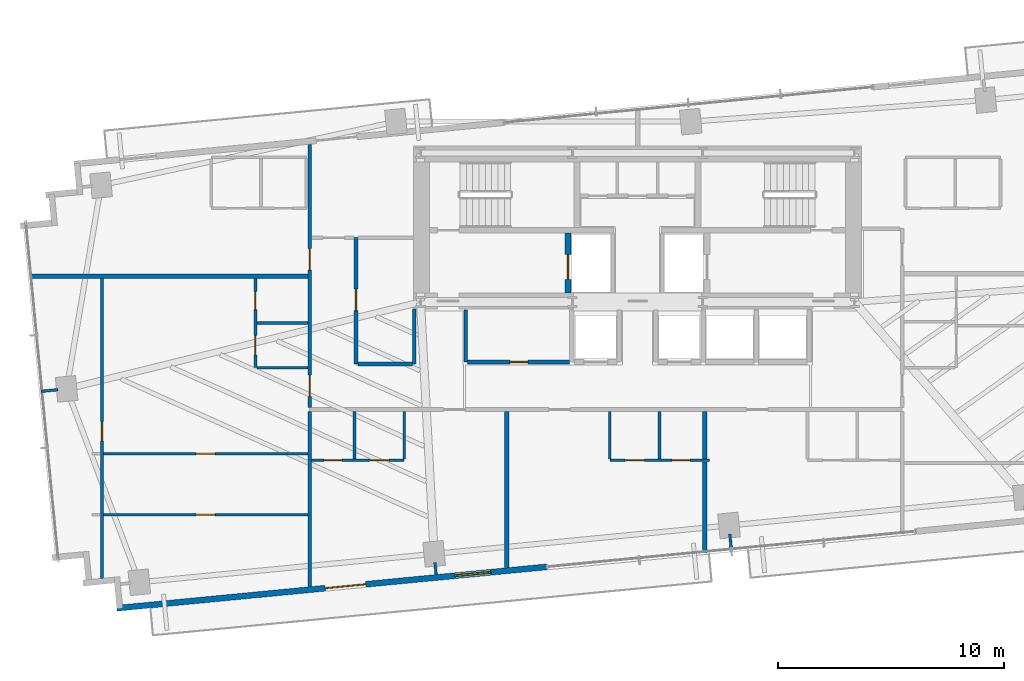
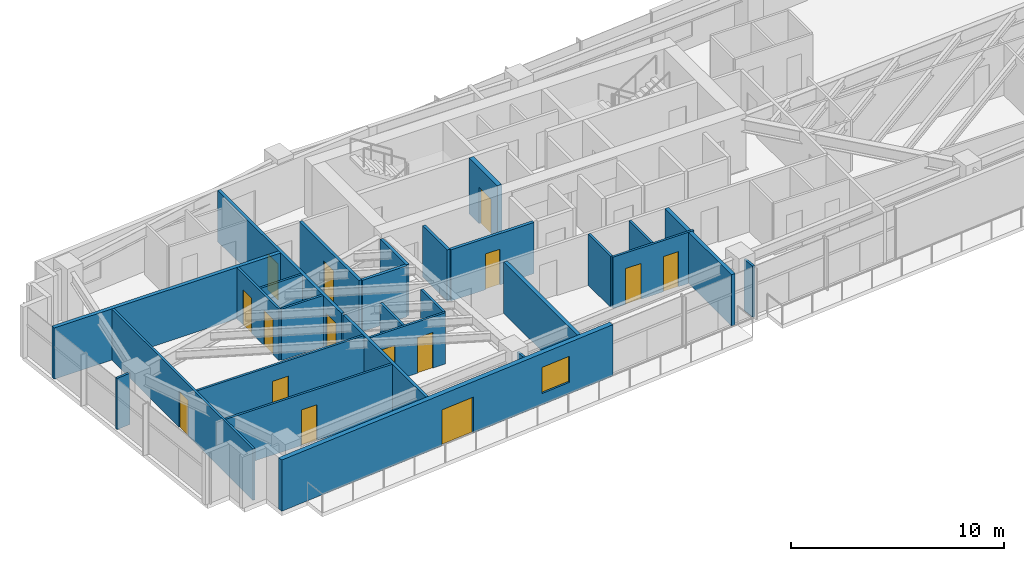
# One storey, part 21 of 27: 28 walls, 15 doors, 1 window, 16 openings.
"""IFC4 building model written with IfcOpenShell, lengths in metres."""

import ifcopenshell
import ifcopenshell.guid

model = None  # the IFC model being written
_history = None  # IfcOwnerHistory: only IFC2X3 demands one
_inside = {}  # id of a spatial element -> (the spatial element, [elements in it])
_under = {}  # id of a project, library or spatial element -> (it, [spatial elements below it])
_declared = {}  # id of a project -> (the project, [libraries it declares])
_typed = {}  # id of a type object -> (the type object, [elements of that type])
_made_of = {}  # id of a material, layer set ... -> (it, [elements and type objects made of it])


def new_model(schema):
    """Start an empty IFC model of exactly this schema.

    Asked for "IFC4X3", IfcOpenShell would pick the latest addendum, in which some entities
    have other attributes; the version numbers below select the first issue.
    IFC2X3 requires an IfcOwnerHistory on every rooted entity: one is made here for all.
    """
    global model, _history
    if schema == "IFC4X3":
        model = ifcopenshell.file(schema_version=(4, 3, 0, 0))
    else:
        model = ifcopenshell.file(schema=schema)
    _inside.clear()
    _under.clear()
    _declared.clear()
    _typed.clear()
    _made_of.clear()
    _history = None
    if model.schema == "IFC2X3":
        org = make("IfcOrganization", Name="unknown")
        user = make(
            "IfcPersonAndOrganization",
            ThePerson=make("IfcPerson", FamilyName="unknown"),
            TheOrganization=org,
        )
        app = make(
            "IfcApplication",
            ApplicationDeveloper=org,
            Version="unknown",
            ApplicationFullName="unknown",
            ApplicationIdentifier="unknown",
        )
        _history = make(
            "IfcOwnerHistory",
            OwningUser=user,
            OwningApplication=app,
            ChangeAction="ADDED",
            CreationDate=0,
        )
    return model


def make(cls, **values):
    """One entity of the class cls with the attributes given. An attribute that is None is left unset."""
    return model.create_entity(
        cls, **{name: value for name, value in values.items() if value is not None}
    )


def rooted(cls, **values):
    """An entity with a GlobalId (a new one), such as an element, a storey or a relation."""
    return make(cls, GlobalId=ifcopenshell.guid.new(), OwnerHistory=_history, **values)


def si_unit(unit_type, name, prefix=None):
    """IfcSIUnit, for example si_unit("LENGTHUNIT", "METRE", prefix="MILLI")."""
    return make("IfcSIUnit", UnitType=unit_type, Prefix=prefix, Name=name)


def assignment(units):
    """IfcUnitAssignment: the units of a project."""
    return None if units is None else make("IfcUnitAssignment", Units=units)


def point(xyz):
    """IfcCartesianPoint."""
    return None if xyz is None else make("IfcCartesianPoint", Coordinates=xyz)


def direction(xyz):
    """IfcDirection."""
    return None if xyz is None else make("IfcDirection", DirectionRatios=xyz)


def frame(location, z_axis=None, x_axis=None):
    """IfcAxis2Placement3D, a coordinate frame: its origin and axes. An axis left out is left unset."""
    return make(
        "IfcAxis2Placement3D",
        Location=point(location),
        Axis=direction(z_axis),
        RefDirection=direction(x_axis),
    )


def frame_2d(location, x_axis=None):
    """IfcAxis2Placement2D, a coordinate frame in the plane: its origin and x axis."""
    return make(
        "IfcAxis2Placement2D", Location=point(location), RefDirection=direction(x_axis)
    )


def origin():
    """The frame at (0, 0, 0) with its axes left unset."""
    return frame((0.0, 0.0, 0.0))


def place(relative_to, where):
    """IfcLocalPlacement: puts the frame where relative to a parent placement (None: the world)."""
    return make(
        "IfcLocalPlacement", PlacementRelTo=relative_to, RelativePlacement=where
    )


def context(
    kind, dimensions, precision=None, world=None, true_north=None, identifier=None
):
    """IfcGeometricRepresentationContext, for example the 3D "Model" context."""
    return make(
        "IfcGeometricRepresentationContext",
        ContextIdentifier=identifier,
        ContextType=kind,
        CoordinateSpaceDimension=dimensions,
        Precision=precision,
        WorldCoordinateSystem=world,
        TrueNorth=true_north,
    )


def subcontext(parent, identifier, kind, view, scale=None):
    """IfcGeometricRepresentationSubContext, for example "Body" below "Model"."""
    return make(
        "IfcGeometricRepresentationSubContext",
        ContextIdentifier=identifier,
        ContextType=kind,
        ParentContext=parent,
        TargetScale=scale,
        TargetView=view,
    )


def project(units=None, contexts=None):
    """IfcProject with its units and contexts."""
    return rooted(
        "IfcProject",
        Name="project",
        RepresentationContexts=contexts,
        UnitsInContext=assignment(units),
    )


def spatial(cls, under=None, at=None, **own):
    """A site, building, storey or space (cls), placed at a placement, below another one or the project."""
    s = rooted(cls, ObjectPlacement=at, **own)
    if under is not None:
        _under.setdefault(under.id(), (under, []))[1].append(s)
    return s


def profile(cls, at=None, kind="AREA", **sizes):
    """A parametric profile (cls). Its sizes go by their IFC names, for example OverallWidth=200.0."""
    return make(cls, ProfileType=kind, Position=at, **sizes)


def rectangle(**sizes):
    """IfcRectangleProfileDef."""
    return profile("IfcRectangleProfileDef", **sizes)


def extrude(swept, where, along, depth):
    """IfcExtrudedAreaSolid: the profile swept, set in the frame where, extruded along a direction by depth."""
    return make(
        "IfcExtrudedAreaSolid",
        SweptArea=swept,
        Position=where,
        ExtrudedDirection=direction(along),
        Depth=depth,
    )


def shape(context_of_items, identifier, shape_type, items):
    """IfcShapeRepresentation: the items that make up one representation, for example the "Body"."""
    return make(
        "IfcShapeRepresentation",
        ContextOfItems=context_of_items,
        RepresentationIdentifier=identifier,
        RepresentationType=shape_type,
        Items=items,
    )


def source(mapping_origin, context_of_items, identifier, shape_type, items):
    """IfcRepresentationMap: a shape defined once, which mapped items show again and again."""
    return make(
        "IfcRepresentationMap",
        MappingOrigin=mapping_origin,
        MappedRepresentation=shape(context_of_items, identifier, shape_type, items),
    )


def transform(
    local_origin,
    x_axis=None,
    y_axis=None,
    z_axis=None,
    scale=None,
    scale2=None,
    scale3=None,
    uniform=True,
):
    """IfcCartesianTransformationOperator3D, or its non-uniform kind. x_axis, y_axis, z_axis: its Axis1, 2, 3."""
    if uniform:
        return make(
            "IfcCartesianTransformationOperator3D",
            Axis1=direction(x_axis),
            Axis2=direction(y_axis),
            LocalOrigin=point(local_origin),
            Scale=scale,
            Axis3=direction(z_axis),
        )
    return make(
        "IfcCartesianTransformationOperator3DnonUniform",
        Axis1=direction(x_axis),
        Axis2=direction(y_axis),
        LocalOrigin=point(local_origin),
        Scale=scale,
        Axis3=direction(z_axis),
        Scale2=scale2,
        Scale3=scale3,
    )


def mapped(mapping_source, mapping_target):
    """IfcMappedItem: shows the shape of a source again, moved by a transform."""
    return make(
        "IfcMappedItem", MappingSource=mapping_source, MappingTarget=mapping_target
    )


def material(Name=None, Category=None):
    """IfcMaterial."""
    return make("IfcMaterial", Name=Name, Category=Category)


def layer(
    of_material, thickness, ventilated=None, Name=None, Category=None, Priority=None
):
    """IfcMaterialLayer: one layer of a wall or slab, of a material (None: an air gap)."""
    return make(
        "IfcMaterialLayer",
        Material=of_material,
        LayerThickness=thickness,
        IsVentilated=ventilated,
        Name=Name,
        Category=Category,
        Priority=Priority,
    )


def layer_set(layers, Name=None):
    """IfcMaterialLayerSet."""
    return make("IfcMaterialLayerSet", MaterialLayers=layers, LayerSetName=Name)


def made_of(thing, what):
    """Note that an element or type object is made of a material, layer set ...; save() writes the relation."""
    if what is not None:
        _made_of.setdefault(what.id(), (what, []))[1].append(thing)
    return thing


def type_object(cls, material=None, **own):
    """A type object (cls), such as IfcWallType, which elements share."""
    return made_of(rooted(cls, **own), material)


def type_shapes(of_type, sources):
    """Give a type object the sources (RepresentationMaps) that its elements show as mapped items."""
    of_type.RepresentationMaps = sources


def element(
    cls,
    number,
    at=None,
    inside=None,
    cuts=None,
    type_object=None,
    material=None,
    context=None,
    identifier="Body",
    shape_type=None,
    held_by="IfcProductDefinitionShape",
    body=None,
    shapes=None,
    **own,
):
    """One element of the class cls, such as IfcWall. Its Tag is "e" and its number.

    at: its placement. inside: the storey or other place that contains it. cuts: it is an
    opening in that element (IfcRelVoidsElement). A single representation is given by context,
    identifier, shape_type and body (its items); several are given by shapes. held_by: the class
    of the entity that holds the representations. save() writes the other relations.
    """
    e = rooted(cls, Tag="e%d" % number, ObjectPlacement=at, **own)
    if body is not None:
        shapes = [shape(context, identifier, shape_type, body)]
    if shapes is not None:
        e.Representation = make(held_by, Representations=shapes)
    if inside is not None:
        _inside.setdefault(inside.id(), (inside, []))[1].append(e)
    if cuts is not None:
        rooted(
            "IfcRelVoidsElement", RelatingBuildingElement=cuts, RelatedOpeningElement=e
        )
    if type_object is not None:
        _typed.setdefault(type_object.id(), (type_object, []))[1].append(e)
    return made_of(e, material)


def fill(opening, filler):
    """IfcRelFillsElement: the door or window that sits in an opening."""
    return rooted(
        "IfcRelFillsElement",
        RelatingOpeningElement=opening,
        RelatedBuildingElement=filler,
    )


def aggregate(whole, parts):
    """IfcRelAggregates: a whole, such as a stair, and the parts it consists of."""
    return rooted("IfcRelAggregates", RelatingObject=whole, RelatedObjects=parts)


def save(model, path):
    """Write the relations noted so far, then the file.

    IfcRelAggregates (storeys below a building ...), IfcRelContainedInSpatialStructure (elements
    in a storey), IfcRelDefinesByType, IfcRelAssociatesMaterial and IfcRelDeclares: one each for
    every whole, place, type object, material and project.
    """
    for whole, parts in _under.values():
        aggregate(whole, parts)
    for where, things in _inside.values():
        rooted(
            "IfcRelContainedInSpatialStructure",
            RelatedElements=things,
            RelatingStructure=where,
        )
    for kind, things in _typed.values():
        rooted("IfcRelDefinesByType", RelatedObjects=things, RelatingType=kind)
    for what, things in _made_of.values():
        rooted("IfcRelAssociatesMaterial", RelatedObjects=things, RelatingMaterial=what)
    for by, libraries in _declared.values():
        rooted("IfcRelDeclares", RelatingContext=by, RelatedDefinitions=libraries)
    model.write(path)


model = new_model("IFC4")

# Units and contexts
model_context = context("Model", 3, precision=1e-05, world=origin(), true_north=direction((0.0, 1.0)))
body_context = subcontext(model_context, "Body", "Model", "MODEL_VIEW")
ifc_project = project(units=[si_unit("LENGTHUNIT", "METRE"), si_unit("AREAUNIT", "SQUARE_METRE"), si_unit("VOLUMEUNIT", "CUBIC_METRE"), si_unit("PLANEANGLEUNIT", "RADIAN"), si_unit("MASSUNIT", "GRAM", prefix="KILO")], contexts=[model_context])

# Site, building, storey
site_placement = place(None, origin())
site = spatial("IfcSite", under=ifc_project, at=site_placement, CompositionType="ELEMENT")
building_placement = place(site_placement, origin())
building = spatial("IfcBuilding", under=site, at=building_placement, Name="Astriad Promenade Condominiums", CompositionType="ELEMENT")
storey_placement = place(building_placement, frame((0.0, 0.0, 109.800048828125)))
storey = spatial("IfcBuildingStorey", under=building, at=storey_placement, Name="L31", CompositionType="ELEMENT", Elevation=109.800048828125)

# Wall, opening, door
ifc_material_1 = material(Name="Concrete C50/60", Category="concrete")
ifc_layer_1 = layer(ifc_material_1, 0.25)
ifc_layer_set_1 = layer_set([ifc_layer_1], Name="Concrete C50/60")
wall_type_1 = type_object("IfcWallType", Name="WALL-CORE-INT-250", PredefinedType="SOLIDWALL", material=ifc_layer_set_1)
wall_1_placement = place(storey_placement, frame((32.925048828125, 17.802001953125, 0.0), z_axis=(0.0, 0.0, 1.0), x_axis=(0.0, 1.0, 0.0)))
wall_1 = element("IfcWall", 1, at=wall_1_placement, inside=storey, type_object=wall_type_1, Name="CW-FFL1-W-L31", PredefinedType="SOLIDWALL", context=body_context, shape_type="SweptSolid", body=[
    extrude(rectangle(XDim=2.64599609375, YDim=0.25, at=frame_2d((1.322998046875, 0.0))), origin(), (0.0, 0.0, 1.0), 3.199951171875),
])
opening_1_placement = place(wall_1_placement, frame((0.597900390625, 0.0, 0.0)))
opening_1 = element("IfcOpeningElement", 2, at=opening_1_placement, cuts=wall_1, Name="Opening LD-FFL-1122", PredefinedType="OPENING", context=body_context, shape_type="SweptSolid", body=[
    extrude(rectangle(XDim=1.10009765625, YDim=2.080078125, at=frame_2d((0.550048828125, 1.0400390625))), frame((0.0, 0.135009765625, 0.0), z_axis=(0.0, -1.0, 0.0), x_axis=(1.0, 0.0, 0.0)), (0.0, 0.0, 1.0), 0.27001953125),
])
ifc_material_2 = material(Name="Brushed Stainless Steel Fire Elevator Landing Door", Category="steel")
door_type_1 = type_object("IfcDoorType", Name="LD-FFL-1122", OperationType="NOTDEFINED", PredefinedType="DOOR", material=ifc_material_2)
shared_shape_1 = source(origin(), body_context, "Body", "SweptSolid", [
    extrude(rectangle(XDim=1.10009765625, YDim=2.080078125, at=frame_2d((0.550048828125, 1.0400390625))), frame((0.0, 0.02490234375, 0.0), z_axis=(0.0, -1.0, 0.0), x_axis=(1.0, 0.0, 0.0)), (0.0, 0.0, 1.0), 0.050048828125),
])
type_shapes(door_type_1, [shared_shape_1])
door_1_placement = place(opening_1_placement, origin())
door_1 = element("IfcDoor", 3, at=door_1_placement, inside=storey, type_object=door_type_1, Name="Elevator Landing Door FFL-1 (L31)", OperationType="SLIDING_TO_LEFT", OverallHeight=2.080078125, OverallWidth=1.10009765625, PredefinedType="DOOR", context=body_context, shape_type="MappedRepresentation", body=[
    mapped(shared_shape_1, transform((0.0, 0.0, 0.0), scale=1.0)),
])
fill(opening_1, door_1)

# Wall
ifc_material_3 = material(Name="Fire-Rated Gypsum Partition")
ifc_layer_2 = layer(ifc_material_3, 0.159912109375)
ifc_layer_set_2 = layer_set([ifc_layer_2], Name="Fire-Rated Gypsum Partition")
wall_type_2 = type_object("IfcWallType", Name="WALL-CORR-160", PredefinedType="PARTITIONING", material=ifc_layer_set_2)
wall_2_placement = place(storey_placement, frame((28.39990234375, 14.75, 0.0), z_axis=(0.0, 0.0, 1.0), x_axis=(0.0, 1.0, 0.0)))
element("IfcWall", 4, at=wall_2_placement, inside=storey, type_object=wall_type_2, Name="REC-L-W-L31", PredefinedType="PARTITIONING", context=body_context, shape_type="SweptSolid", body=[
    extrude(rectangle(XDim=2.300048828125, YDim=0.159912109375, at=frame_2d((1.14990234375, 0.0))), origin(), (0.0, 0.0, 1.0), 2.93994140625),
])

# Wall, opening, door
wall_3_placement = place(storey_placement, frame((28.48193359375, 14.75, 0.0), z_axis=(0.0, 0.0, 1.0), x_axis=(1.0, 0.0, 0.0)))
wall_3 = element("IfcWall", 5, at=wall_3_placement, inside=storey, type_object=wall_type_2, Name="REC-L-S-L31", PredefinedType="PARTITIONING", context=body_context, shape_type="SweptSolid", body=[
    extrude(rectangle(XDim=4.51611328125, YDim=0.159912109375, at=frame_2d((2.258056640625, 0.0))), origin(), (0.0, 0.0, 1.0), 2.93994140625),
])
opening_2_placement = place(wall_3_placement, frame((1.867919921875, 0.0, 0.0)))
opening_2 = element("IfcOpeningElement", 6, at=opening_2_placement, cuts=wall_3, Name="Opening FD60-SV-080", PredefinedType="OPENING", context=body_context, shape_type="SweptSolid", body=[
    extrude(rectangle(XDim=0.800048828125, YDim=2.050048828125, at=frame_2d((0.39990234375, 1.02490234375))), frame((0.0, 0.08984375, 0.0), z_axis=(0.0, -1.0, 0.0), x_axis=(1.0, 0.0, 0.0)), (0.0, 0.0, 1.0), 0.179931640625),
])
ifc_material_4 = material(Name="Fire-Rated Riser Closet Door")
door_type_2 = type_object("IfcDoorType", Name="FD60-SV-080", OperationType="NOTDEFINED", PredefinedType="DOOR", material=ifc_material_4)
shared_shape_2 = source(origin(), body_context, "Body", "SweptSolid", [
    extrude(rectangle(XDim=0.800048828125, YDim=2.050048828125, at=frame_2d((0.39990234375, 1.02490234375))), frame((0.0, 0.02490234375, 0.0), z_axis=(0.0, -1.0, 0.0), x_axis=(1.0, 0.0, 0.0)), (0.0, 0.0, 1.0), 0.050048828125),
])
type_shapes(door_type_2, [shared_shape_2])
door_2_placement = place(opening_2_placement, origin())
door_2 = element("IfcDoor", 7, at=door_2_placement, inside=storey, type_object=door_type_2, Name="D-RECL-L31", OperationType="SINGLE_SWING_LEFT", OverallHeight=2.050048828125, OverallWidth=0.800048828125, PredefinedType="DOOR", context=body_context, shape_type="MappedRepresentation", body=[
    mapped(shared_shape_2, transform((0.0, 0.0, 0.0), scale=1.0)),
])
fill(opening_2, door_2)

# Wall
wall_4_placement = place(storey_placement, frame((21.5, 4.8125, 0.0), z_axis=(0.0, 0.0, 1.0), x_axis=(0.0, 1.0, 0.0)))
element("IfcWall", 8, at=wall_4_placement, inside=storey, type_object=wall_type_2, Name="PT-COR-W-L31", PredefinedType="PARTITIONING", context=body_context, shape_type="SweptSolid", body=[
    extrude(rectangle(XDim=7.755615234375, YDim=0.159912109375, at=frame_2d((3.8779296875, 0.0))), origin(), (0.0, 0.0, 1.0), 2.93994140625),
])

# Wall, openings, doors
wall_5_placement = place(storey_placement, frame((21.5, 12.73193359375, 0.0), z_axis=(0.0, 0.0, 1.0), x_axis=(0.0, 1.0, 0.0)))
wall_5 = element("IfcWall", 9, at=wall_5_placement, inside=storey, type_object=wall_type_2, Name="PT-COR-W-L31-S2", PredefinedType="PARTITIONING", context=body_context, shape_type="SweptSolid", body=[
    extrude(rectangle(XDim=11.646728515625, YDim=0.159912109375, at=frame_2d((5.8232421875, 0.0))), origin(), (0.0, 0.0, 1.0), 2.93994140625),
])
opening_3_placement = place(wall_5_placement, frame((0.492919921875, 0.0, 0.0)))
opening_3 = element("IfcOpeningElement", 10, at=opening_3_placement, cuts=wall_5, Name="Opening FD60-APT-095", PredefinedType="OPENING", context=body_context, shape_type="SweptSolid", body=[
    extrude(rectangle(XDim=0.949951171875, YDim=2.06005859375, at=frame_2d((0.47509765625, 1.030029296875))), frame((0.0, 0.08984375, 0.0), z_axis=(0.0, -1.0, 0.0), x_axis=(1.0, 0.0, 0.0)), (0.0, 0.0, 1.0), 0.179931640625),
])
opening_4_placement = place(wall_5_placement, frame((6.0849609375, 0.0, 0.0)))
opening_4 = element("IfcOpeningElement", 11, at=opening_4_placement, cuts=wall_5, Name="Opening FD60-APT-095", PredefinedType="OPENING", context=body_context, shape_type="SweptSolid", body=[
    extrude(rectangle(XDim=0.949951171875, YDim=2.06005859375, at=frame_2d((0.47509765625, 1.030029296875))), frame((0.0, 0.08984375, 0.0), z_axis=(0.0, -1.0, 0.0), x_axis=(1.0, 0.0, 0.0)), (0.0, 0.0, 1.0), 0.179931640625),
])
ifc_material_5 = material(Name="Solid-Core Acoustic Timber Residence Entry Door", Category="wood")
door_type_3 = type_object("IfcDoorType", Name="FD60-APT-095", OperationType="NOTDEFINED", PredefinedType="DOOR", material=ifc_material_5)
shared_shape_3 = source(origin(), body_context, "Body", "SweptSolid", [
    extrude(rectangle(XDim=0.949951171875, YDim=2.06005859375, at=frame_2d((0.47509765625, 1.030029296875))), frame((0.0, 0.02490234375, 0.0), z_axis=(0.0, -1.0, 0.0), x_axis=(1.0, 0.0, 0.0)), (0.0, 0.0, 1.0), 0.050048828125),
])
type_shapes(door_type_3, [shared_shape_3])
door_3_placement = place(opening_3_placement, origin())
door_3 = element("IfcDoor", 12, at=door_3_placement, inside=storey, type_object=door_type_3, Name="D-ENT-L31-W1", OperationType="SINGLE_SWING_LEFT", OverallHeight=2.06005859375, OverallWidth=0.949951171875, PredefinedType="DOOR", context=body_context, shape_type="MappedRepresentation", body=[
    mapped(shared_shape_3, transform((0.0, 0.0, 0.0), scale=1.0)),
])
fill(opening_3, door_3)
door_4_placement = place(opening_4_placement, origin())
door_4 = element("IfcDoor", 13, at=door_4_placement, inside=storey, type_object=door_type_3, Name="D-ENT-L31-W2", OperationType="SINGLE_SWING_LEFT", OverallHeight=2.06005859375, OverallWidth=0.949951171875, PredefinedType="DOOR", context=body_context, shape_type="MappedRepresentation", body=[
    mapped(shared_shape_3, transform((0.0, 0.0, 0.0), scale=1.0)),
])
fill(opening_4, door_4)

# Wall, opening, door
wall_6_placement = place(storey_placement, frame((23.550048828125, 14.659912109375, 0.0), z_axis=(0.0, 0.0, 1.0), x_axis=(0.0, 1.0, 0.0)))
wall_6 = element("IfcWall", 14, at=wall_6_placement, inside=storey, type_object=wall_type_2, Name="PT-HK-E-L31", PredefinedType="PARTITIONING", context=body_context, shape_type="SweptSolid", body=[
    extrude(rectangle(XDim=5.590087890625, YDim=0.159912109375, at=frame_2d((2.794921875, 0.0))), origin(), (0.0, 0.0, 1.0), 2.93994140625),
])
opening_5_placement = place(wall_6_placement, frame((2.360107421875, 0.0, 0.0)))
opening_5 = element("IfcOpeningElement", 15, at=opening_5_placement, cuts=wall_6, Name="Opening FD60-APT-095", PredefinedType="OPENING", context=body_context, shape_type="SweptSolid", body=[
    extrude(rectangle(XDim=0.949951171875, YDim=2.06005859375, at=frame_2d((0.47509765625, 1.030029296875))), frame((0.0, 0.08984375, 0.0), z_axis=(0.0, -1.0, 0.0), x_axis=(1.0, 0.0, 0.0)), (0.0, 0.0, 1.0), 0.179931640625),
])
door_5_placement = place(opening_5_placement, origin())
door_5 = element("IfcDoor", 16, at=door_5_placement, inside=storey, type_object=door_type_3, Name="D-HKA-L31", OperationType="SINGLE_SWING_RIGHT", OverallHeight=2.06005859375, OverallWidth=0.949951171875, PredefinedType="DOOR", context=body_context, shape_type="MappedRepresentation", body=[
    mapped(shared_shape_3, transform((0.0, 0.0, 0.0), scale=1.0)),
])
fill(opening_5, door_5)

# Walls
wall_7_placement = place(storey_placement, frame((26.1201171875, 14.659912109375, 0.0), z_axis=(0.0, 0.0, 1.0), x_axis=(0.0, 1.0, 0.0)))
element("IfcWall", 17, at=wall_7_placement, inside=storey, type_object=wall_type_2, Name="PT-WSPUR-W-L31", PredefinedType="PARTITIONING", context=body_context, shape_type="SweptSolid", body=[
    extrude(rectangle(XDim=2.43798828125, YDim=0.159912109375, at=frame_2d((1.218994140625, 0.0))), origin(), (0.0, 0.0, 1.0), 2.93994140625),
])
wall_8_placement = place(storey_placement, frame((23.632080078125, 14.659912109375, 0.0), z_axis=(0.0, 0.0, 1.0), x_axis=(1.0, 0.0, 0.0)))
element("IfcWall", 18, at=wall_8_placement, inside=storey, type_object=wall_type_2, Name="PT-HK-S-L31", PredefinedType="PARTITIONING", context=body_context, shape_type="SweptSolid", body=[
    extrude(rectangle(XDim=2.406005859375, YDim=0.159912109375, at=frame_2d((1.203125, 0.0))), origin(), (0.0, 0.0, 1.0), 2.93994140625),
])
ifc_material_6 = material(Name="Acoustic Double-Stud Gypsum Partition")
ifc_layer_3 = layer(ifc_material_6, 0.199951171875)
ifc_layer_set_3 = layer_set([ifc_layer_3], Name="Acoustic Double-Stud Gypsum Partition")
wall_type_3 = type_object("IfcWallType", Name="WALL-DEMISING-200", PredefinedType="PARTITIONING", material=ifc_layer_set_3)
wall_9_placement = place(storey_placement, frame((30.22509765625, 5.652587890625, 0.0), z_axis=(0.0, 0.0, 1.0), x_axis=(0.0, 1.0, 0.0)))
element("IfcWall", 19, at=wall_9_placement, inside=storey, type_object=wall_type_3, Name="PT-DEM-S1-L31", PredefinedType="PARTITIONING", context=body_context, shape_type="SweptSolid", body=[
    extrude(rectangle(XDim=6.91552734375, YDim=0.199951171875, at=frame_2d((3.457763671875, 0.0))), origin(), (0.0, 0.0, 1.0), 2.93994140625),
])
wall_10_placement = place(storey_placement, frame((38.97509765625, 6.3125, 0.0), z_axis=(0.0, 0.0, 1.0), x_axis=(0.0, 1.0, 0.0)))
element("IfcWall", 20, at=wall_10_placement, inside=storey, type_object=wall_type_3, Name="PT-DEM-S2-L31", PredefinedType="PARTITIONING", context=body_context, shape_type="SweptSolid", body=[
    extrude(rectangle(XDim=4.025390625, YDim=0.199951171875, at=frame_2d((2.0126953125, 0.0))), origin(), (0.0, 0.0, 1.0), 2.93994140625),
])
wall_11_placement = place(storey_placement, frame((38.97509765625, 10.4619140625, 0.0), z_axis=(0.0, 0.0, 1.0), x_axis=(0.0, 1.0, 0.0)))
element("IfcWall", 21, at=wall_11_placement, inside=storey, type_object=wall_type_3, Name="PT-DEM-S2-L31-S2", PredefinedType="PARTITIONING", context=body_context, shape_type="SweptSolid", body=[
    extrude(rectangle(XDim=2.106201171875, YDim=0.199951171875, at=frame_2d((1.05322265625, 0.0))), origin(), (0.0, 0.0, 1.0), 2.93994140625),
])
wall_12_placement = place(storey_placement, frame((9.1259765625, 18.550048828125, 0.0), z_axis=(0.0, 0.0, 1.0), x_axis=(1.0, 0.0, 0.0)))
element("IfcWall", 22, at=wall_12_placement, inside=storey, type_object=wall_type_3, Name="PT-DEM-WW-L31", PredefinedType="PARTITIONING", context=body_context, shape_type="SweptSolid", body=[
    extrude(rectangle(XDim=12.2919921875, YDim=0.199951171875, at=frame_2d((6.14599609375, 0.0))), origin(), (0.0, 0.0, 1.0), 2.93994140625),
])

# Wall, openings, door, window
ifc_material_7 = material(Name="Precast concrete C50/60", Category="concrete")
ifc_layer_4 = layer(ifc_material_7, 0.260009765625)
ifc_layer_set_4 = layer_set([ifc_layer_4], Name="Precast concrete C50/60")
wall_type_4 = type_object("IfcWallType", Name="WALL-EXT-TWR-260", PredefinedType="STANDARD", material=ifc_layer_set_4)
wall_13_placement = place(storey_placement, frame((31.99365234375, 5.6904296875, 0.0), z_axis=(0.0, 0.0, 1.0), x_axis=(-0.995396521236, -0.095842399342, 0.0)))
wall_13 = element("IfcWall", 23, at=wall_13_placement, inside=storey, type_object=wall_type_4, Name="W-EXT-L31-S2", PredefinedType="STANDARD", context=body_context, shape_type="SweptSolid", body=[
    extrude(rectangle(XDim=19.10986328125, YDim=0.260009765625, at=frame_2d((9.554931640625, 0.0))), origin(), (0.0, 0.0, 1.0), 2.93994140625),
])
opening_6_placement = place(wall_13_placement, frame((8.050048828125, 0.0, 0.0)))
opening_6 = element("IfcOpeningElement", 24, at=opening_6_placement, cuts=wall_13, Name="Opening BD-1822-SLD", PredefinedType="OPENING", context=body_context, shape_type="SweptSolid", body=[
    extrude(rectangle(XDim=1.800048828125, YDim=2.06005859375, at=frame_2d((0.89990234375, 1.030029296875))), frame((0.0, 0.139892578125, 0.0), z_axis=(0.0, -1.0, 0.0), x_axis=(1.0, 0.0, 0.0)), (0.0, 0.0, 1.0), 0.280029296875),
])
opening_7_placement = place(wall_13_placement, frame((2.5, 0.0, 0.64990234375)))
opening_7 = element("IfcOpeningElement", 25, at=opening_7_placement, cuts=wall_13, Name="Opening WIN-TWR-1620", PredefinedType="OPENING", context=body_context, shape_type="SweptSolid", body=[
    extrude(rectangle(XDim=1.60009765625, YDim=1.5, at=frame_2d((0.800048828125, 0.75))), frame((0.0, 0.139892578125, 0.0), z_axis=(0.0, -1.0, 0.0), x_axis=(1.0, 0.0, 0.0)), (0.0, 0.0, 1.0), 0.280029296875),
])
ifc_material_8 = material(Name="Thermally Broken Aluminium Sliding Balcony Door", Category="aluminium")
door_type_4 = type_object("IfcDoorType", Name="BD-1822-SLD", OperationType="NOTDEFINED", PredefinedType="DOOR", material=ifc_material_8)
shared_shape_4 = source(origin(), body_context, "Body", "SweptSolid", [
    extrude(rectangle(XDim=1.800048828125, YDim=2.06005859375, at=frame_2d((0.89990234375, 1.030029296875))), frame((0.0, 0.02490234375, 0.0), z_axis=(0.0, -1.0, 0.0), x_axis=(1.0, 0.0, 0.0)), (0.0, 0.0, 1.0), 0.050048828125),
])
type_shapes(door_type_4, [shared_shape_4])
door_6_placement = place(opening_6_placement, origin())
door_6 = element("IfcDoor", 26, at=door_6_placement, inside=storey, type_object=door_type_4, Name="BD-L31-SW", OperationType="SLIDING_TO_LEFT", OverallHeight=2.06005859375, OverallWidth=1.800048828125, PredefinedType="DOOR", context=body_context, shape_type="MappedRepresentation", body=[
    mapped(shared_shape_4, transform((0.0, 0.0, 0.0), scale=1.0)),
])
fill(opening_6, door_6)
ifc_material_9 = material(Name="Dark Tinted Triple-Glazed Aluminium Window", Category="aluminium")
window_type = type_object("IfcWindowType", Name="WIN-TWR-1620", PartitioningType="SINGLE_PANEL", PredefinedType="WINDOW", material=ifc_material_9)
shared_shape_5 = source(origin(), body_context, "Body", "SweptSolid", [
    extrude(rectangle(XDim=1.60009765625, YDim=1.5, at=frame_2d((0.800048828125, 0.75))), frame((0.0, 0.030029296875, 0.0), z_axis=(0.0, -1.0, 0.0), x_axis=(1.0, 0.0, 0.0)), (0.0, 0.0, 1.0), 0.06005859375),
])
type_shapes(window_type, [shared_shape_5])
window_placement = place(opening_7_placement, origin())
window = element("IfcWindow", 27, at=window_placement, inside=storey, type_object=window_type, Name="WIN-L31-SW", OverallHeight=1.5, OverallWidth=1.60009765625, PartitioningType="SINGLE_PANEL", PredefinedType="WINDOW", context=body_context, shape_type="MappedRepresentation", body=[
    mapped(shared_shape_5, transform((0.0, 0.0, 0.0), scale=1.0)),
])
fill(opening_7, window)

# Wall, openings, doors
ifc_material_10 = material(Name="Acoustic Metal-Stud Gypsum Partition")
ifc_layer_5 = layer(ifc_material_10, 0.1201171875)
ifc_layer_set_5 = layer_set([ifc_layer_5], Name="Acoustic Metal-Stud Gypsum Partition")
wall_type_5 = type_object("IfcWallType", Name="WALL-PART-120", PredefinedType="PARTITIONING", material=ifc_layer_set_5)
wall_14_placement = place(storey_placement, frame((21.58203125, 10.39990234375, 0.0), z_axis=(0.0, 0.0, 1.0), x_axis=(1.0, 0.0, 0.0)))
wall_14 = element("IfcWall", 28, at=wall_14_placement, inside=storey, type_object=wall_type_5, Name="PT-L31-S1-PS", PredefinedType="PARTITIONING", context=body_context, shape_type="SweptSolid", body=[
    extrude(rectangle(XDim=4.097900390625, YDim=0.1201171875, at=frame_2d((2.048828125, 0.0))), origin(), (0.0, 0.0, 1.0), 2.93994140625),
])
opening_8_placement = place(wall_14_placement, frame((0.548095703125, 0.0, 0.0)))
opening_8 = element("IfcOpeningElement", 29, at=opening_8_placement, cuts=wall_14, Name="Opening D-WET-080", PredefinedType="OPENING", context=body_context, shape_type="SweptSolid", body=[
    extrude(rectangle(XDim=0.800048828125, YDim=2.02001953125, at=frame_2d((0.39990234375, 1.010009765625))), frame((0.0, 0.070068359375, 0.0), z_axis=(0.0, -1.0, 0.0), x_axis=(1.0, 0.0, 0.0)), (0.0, 0.0, 1.0), 0.14013671875),
])
opening_9_placement = place(wall_14_placement, frame((2.572998046875, 0.0, 0.0)))
opening_9 = element("IfcOpeningElement", 30, at=opening_9_placement, cuts=wall_14, Name="Opening D-INT-085", PredefinedType="OPENING", context=body_context, shape_type="SweptSolid", body=[
    extrude(rectangle(XDim=0.85009765625, YDim=2.050048828125, at=frame_2d((0.425048828125, 1.02490234375))), frame((0.0, 0.070068359375, 0.0), z_axis=(0.0, -1.0, 0.0), x_axis=(1.0, 0.0, 0.0)), (0.0, 0.0, 1.0), 0.14013671875),
])
ifc_material_11 = material(Name="Moisture-Resistant Timber Bathroom Door", Category="wood")
door_type_5 = type_object("IfcDoorType", Name="D-WET-080", OperationType="NOTDEFINED", PredefinedType="DOOR", material=ifc_material_11)
shared_shape_6 = source(origin(), body_context, "Body", "SweptSolid", [
    extrude(rectangle(XDim=0.800048828125, YDim=2.02001953125, at=frame_2d((0.39990234375, 1.010009765625))), frame((0.0, 0.02490234375, 0.0), z_axis=(0.0, -1.0, 0.0), x_axis=(1.0, 0.0, 0.0)), (0.0, 0.0, 1.0), 0.050048828125),
])
type_shapes(door_type_5, [shared_shape_6])
door_7_placement = place(opening_8_placement, origin())
door_7 = element("IfcDoor", 31, at=door_7_placement, inside=storey, type_object=door_type_5, Name="D-BTH-L31-S1", OperationType="SINGLE_SWING_LEFT", OverallHeight=2.02001953125, OverallWidth=0.800048828125, PredefinedType="DOOR", context=body_context, shape_type="MappedRepresentation", body=[
    mapped(shared_shape_6, transform((0.0, 0.0, 0.0), scale=1.0)),
])
fill(opening_8, door_7)
ifc_material_12 = material(Name="Painted Solid-Core Timber Room Door", Category="wood")
door_type_6 = type_object("IfcDoorType", Name="D-INT-085", OperationType="NOTDEFINED", PredefinedType="DOOR", material=ifc_material_12)
shared_shape_7 = source(origin(), body_context, "Body", "SweptSolid", [
    extrude(rectangle(XDim=0.85009765625, YDim=2.050048828125, at=frame_2d((0.425048828125, 1.02490234375))), frame((0.0, 0.02490234375, 0.0), z_axis=(0.0, -1.0, 0.0), x_axis=(1.0, 0.0, 0.0)), (0.0, 0.0, 1.0), 0.050048828125),
])
type_shapes(door_type_6, [shared_shape_7])
door_8_placement = place(opening_9_placement, origin())
door_8 = element("IfcDoor", 32, at=door_8_placement, inside=storey, type_object=door_type_6, Name="D-KIT-L31-S1", OperationType="SINGLE_SWING_RIGHT", OverallHeight=2.050048828125, OverallWidth=0.85009765625, PredefinedType="DOOR", context=body_context, shape_type="MappedRepresentation", body=[
    mapped(shared_shape_7, transform((0.0, 0.0, 0.0), scale=1.0)),
])
fill(opening_9, door_8)

# Walls
for number, where, z_axis, x_axis, name in (
    (33, (25.679931640625, 10.4619140625, 0.0), (0.0, 0.0, 1.0), (0.0, 1.0, 0.0), "PT-L31-S1-PK"),
    (34, (23.47998046875, 10.4619140625, 0.0), (0.0, 0.0, 1.0), (0.0, 1.0, 0.0), "PT-L31-S1-PB"),
):
    element("IfcWall", number, at=place(storey_placement, frame(where, z_axis=z_axis, x_axis=x_axis)), inside=storey, type_object=wall_type_5, Name=name, PredefinedType="PARTITIONING", context=body_context, shape_type="SweptSolid", body=[
        extrude(rectangle(XDim=2.106201171875, YDim=0.1201171875, at=frame_2d((1.05322265625, 0.0))), origin(), (0.0, 0.0, 1.0), 2.93994140625),
    ])

# Wall, openings, doors
wall_15_placement = place(storey_placement, frame((34.77490234375, 10.39990234375, 0.0), z_axis=(0.0, 0.0, 1.0), x_axis=(1.0, 0.0, 0.0)))
wall_15 = element("IfcWall", 35, at=wall_15_placement, inside=storey, type_object=wall_type_5, Name="PT-L31-S2-PS", PredefinedType="PARTITIONING", context=body_context, shape_type="SweptSolid", body=[
    extrude(rectangle(XDim=4.400146484375, YDim=0.1201171875, at=frame_2d((2.2001953125, 0.0))), origin(), (0.0, 0.0, 1.0), 2.93994140625),
])
opening_10_placement = place(wall_15_placement, frame((0.675048828125, 0.0, 0.0)))
opening_10 = element("IfcOpeningElement", 36, at=opening_10_placement, cuts=wall_15, Name="Opening D-INT-085", PredefinedType="OPENING", context=body_context, shape_type="SweptSolid", body=[
    extrude(rectangle(XDim=0.85009765625, YDim=2.050048828125, at=frame_2d((0.425048828125, 1.02490234375))), frame((0.0, 0.070068359375, 0.0), z_axis=(0.0, -1.0, 0.0), x_axis=(1.0, 0.0, 0.0)), (0.0, 0.0, 1.0), 0.14013671875),
])
opening_11_placement = place(wall_15_placement, frame((2.75, 0.0, 0.0)))
opening_11 = element("IfcOpeningElement", 37, at=opening_11_placement, cuts=wall_15, Name="Opening D-WET-080", PredefinedType="OPENING", context=body_context, shape_type="SweptSolid", body=[
    extrude(rectangle(XDim=0.800048828125, YDim=2.02001953125, at=frame_2d((0.39990234375, 1.010009765625))), frame((0.0, 0.070068359375, 0.0), z_axis=(0.0, -1.0, 0.0), x_axis=(1.0, 0.0, 0.0)), (0.0, 0.0, 1.0), 0.14013671875),
])
door_9_placement = place(opening_11_placement, origin())
door_9 = element("IfcDoor", 38, at=door_9_placement, inside=storey, type_object=door_type_5, Name="D-BTH-L31-S2", OperationType="SINGLE_SWING_LEFT", OverallHeight=2.02001953125, OverallWidth=0.800048828125, PredefinedType="DOOR", context=body_context, shape_type="MappedRepresentation", body=[
    mapped(shared_shape_6, transform((0.0, 0.0, 0.0), scale=1.0)),
])
fill(opening_11, door_9)
door_10_placement = place(opening_10_placement, origin())
door_10 = element("IfcDoor", 39, at=door_10_placement, inside=storey, type_object=door_type_6, Name="D-KIT-L31-S2", OperationType="SINGLE_SWING_RIGHT", OverallHeight=2.050048828125, OverallWidth=0.85009765625, PredefinedType="DOOR", context=body_context, shape_type="MappedRepresentation", body=[
    mapped(shared_shape_7, transform((0.0, 0.0, 0.0), scale=1.0)),
])
fill(opening_10, door_10)

# Walls
for number, where, z_axis, x_axis, name in (
    (40, (34.77490234375, 10.4619140625, 0.0), (0.0, 0.0, 1.0), (0.0, 1.0, 0.0), "PT-L31-S2-PK"),
    (41, (36.97509765625, 10.4619140625, 0.0), (0.0, 0.0, 1.0), (0.0, 1.0, 0.0), "PT-L31-S2-PB"),
):
    element("IfcWall", number, at=place(storey_placement, frame(where, z_axis=z_axis, x_axis=x_axis)), inside=storey, type_object=wall_type_5, Name=name, PredefinedType="PARTITIONING", context=body_context, shape_type="SweptSolid", body=[
        extrude(rectangle(XDim=2.106201171875, YDim=0.1201171875, at=frame_2d((1.05322265625, 0.0))), origin(), (0.0, 0.0, 1.0), 2.93994140625),
    ])

# Wall, openings, doors
wall_16_placement = place(storey_placement, frame((19.10009765625, 14.5, 0.0), z_axis=(0.0, 0.0, 1.0), x_axis=(0.0, 1.0, 0.0)))
wall_16 = element("IfcWall", 42, at=wall_16_placement, inside=storey, type_object=wall_type_5, Name="PT-L31-W1-PV", PredefinedType="PARTITIONING", context=body_context, shape_type="SweptSolid", body=[
    extrude(rectangle(XDim=3.947998046875, YDim=0.1201171875, at=frame_2d((1.97412109375, 0.0))), origin(), (0.0, 0.0, 1.0), 2.93994140625),
])
opening_12_placement = place(wall_16_placement, frame((0.56298828125, 0.0, 0.0)))
opening_12 = element("IfcOpeningElement", 43, at=opening_12_placement, cuts=wall_16, Name="Opening D-INT-085", PredefinedType="OPENING", context=body_context, shape_type="SweptSolid", body=[
    extrude(rectangle(XDim=0.85009765625, YDim=2.050048828125, at=frame_2d((0.425048828125, 1.02490234375))), frame((0.0, 0.070068359375, 0.0), z_axis=(0.0, -1.0, 0.0), x_axis=(1.0, 0.0, 0.0)), (0.0, 0.0, 1.0), 0.14013671875),
])
opening_13_placement = place(wall_16_placement, frame((2.56201171875, 0.0, 0.0)))
opening_13 = element("IfcOpeningElement", 44, at=opening_13_placement, cuts=wall_16, Name="Opening D-WET-080", PredefinedType="OPENING", context=body_context, shape_type="SweptSolid", body=[
    extrude(rectangle(XDim=0.800048828125, YDim=2.02001953125, at=frame_2d((0.39990234375, 1.010009765625))), frame((0.0, 0.070068359375, 0.0), z_axis=(0.0, -1.0, 0.0), x_axis=(1.0, 0.0, 0.0)), (0.0, 0.0, 1.0), 0.14013671875),
])
door_11_placement = place(opening_13_placement, origin())
door_11 = element("IfcDoor", 45, at=door_11_placement, inside=storey, type_object=door_type_5, Name="D-BTH-L31-W1", OperationType="SINGLE_SWING_LEFT", OverallHeight=2.02001953125, OverallWidth=0.800048828125, PredefinedType="DOOR", context=body_context, shape_type="MappedRepresentation", body=[
    mapped(shared_shape_6, transform((0.0, 0.0, 0.0), scale=1.0)),
])
fill(opening_13, door_11)
door_12_placement = place(opening_12_placement, origin())
door_12 = element("IfcDoor", 46, at=door_12_placement, inside=storey, type_object=door_type_6, Name="D-KIT-L31-W1", OperationType="SINGLE_SWING_RIGHT", OverallHeight=2.050048828125, OverallWidth=0.85009765625, PredefinedType="DOOR", context=body_context, shape_type="MappedRepresentation", body=[
    mapped(shared_shape_7, transform((0.0, 0.0, 0.0), scale=1.0)),
])
fill(opening_12, door_12)

# Walls
for number, where, z_axis, x_axis, name in (
    (47, (19.162109375, 16.47509765625, 0.0), (0.0, 0.0, 1.0), (1.0, 0.0, 0.0), "PT-L31-W1-PM"),
    (48, (19.162109375, 14.5, 0.0), (0.0, 0.0, 1.0), (1.0, 0.0, 0.0), "PT-L31-W1-PS"),
):
    element("IfcWall", number, at=place(storey_placement, frame(where, z_axis=z_axis, x_axis=x_axis)), inside=storey, type_object=wall_type_5, Name=name, PredefinedType="PARTITIONING", context=body_context, shape_type="SweptSolid", body=[
        extrude(rectangle(XDim=2.255859375, YDim=0.1201171875, at=frame_2d((1.1279296875, 0.0))), origin(), (0.0, 0.0, 1.0), 2.93994140625),
    ])

# Wall, opening, door
wall_17_placement = place(storey_placement, frame((12.31494140625, 5.18408203125, 0.0), z_axis=(0.0, 0.0, 1.0), x_axis=(0.0, 1.0, 0.0)))
wall_17 = element("IfcWall", 49, at=wall_17_placement, inside=storey, type_object=wall_type_5, Name="PT-L31-W1-B1", PredefinedType="PARTITIONING", context=body_context, shape_type="SweptSolid", body=[
    extrude(rectangle(XDim=13.263916015625, YDim=0.1201171875, at=frame_2d((6.6318359375, 0.0))), origin(), (0.0, 0.0, 1.0), 2.93994140625),
])
opening_14_placement = place(wall_17_placement, frame((6.075927734375, 0.0, 0.0)))
opening_14 = element("IfcOpeningElement", 50, at=opening_14_placement, cuts=wall_17, Name="Opening D-INT-085", PredefinedType="OPENING", context=body_context, shape_type="SweptSolid", body=[
    extrude(rectangle(XDim=0.85009765625, YDim=2.050048828125, at=frame_2d((0.425048828125, 1.02490234375))), frame((0.0, 0.070068359375, 0.0), z_axis=(0.0, -1.0, 0.0), x_axis=(1.0, 0.0, 0.0)), (0.0, 0.0, 1.0), 0.14013671875),
])
door_13_placement = place(opening_14_placement, origin())
door_13 = element("IfcDoor", 51, at=door_13_placement, inside=storey, type_object=door_type_6, Name="D-BD1-L31-W1", OperationType="SINGLE_SWING_RIGHT", OverallHeight=2.050048828125, OverallWidth=0.85009765625, PredefinedType="DOOR", context=body_context, shape_type="MappedRepresentation", body=[
    mapped(shared_shape_7, transform((0.0, 0.0, 0.0), scale=1.0)),
])
fill(opening_14, door_13)

wall_18_placement = place(storey_placement, frame((12.376953125, 7.9951171875, 0.0), z_axis=(0.0, 0.0, 1.0), x_axis=(1.0, 0.0, 0.0)))
wall_18 = element("IfcWall", 52, at=wall_18_placement, inside=storey, type_object=wall_type_5, Name="PT-L31-W1-WDS1-S2", PredefinedType="PARTITIONING", context=body_context, shape_type="SweptSolid", body=[
    extrude(rectangle(XDim=9.041015625, YDim=0.1201171875, at=frame_2d((4.5205078125, 0.0))), origin(), (0.0, 0.0, 1.0), 2.93994140625),
])
opening_15_placement = place(wall_18_placement, frame((4.095947265625, 0.0, 0.0)))
opening_15 = element("IfcOpeningElement", 53, at=opening_15_placement, cuts=wall_18, Name="Opening D-INT-085", PredefinedType="OPENING", context=body_context, shape_type="SweptSolid", body=[
    extrude(rectangle(XDim=0.85009765625, YDim=2.050048828125, at=frame_2d((0.425048828125, 1.02490234375))), frame((0.0, 0.070068359375, 0.0), z_axis=(0.0, -1.0, 0.0), x_axis=(1.0, 0.0, 0.0)), (0.0, 0.0, 1.0), 0.14013671875),
])
door_14_placement = place(opening_15_placement, origin())
door_14 = element("IfcDoor", 54, at=door_14_placement, inside=storey, type_object=door_type_6, Name="D-WDS1-L31-W1", OperationType="SINGLE_SWING_LEFT", OverallHeight=2.050048828125, OverallWidth=0.85009765625, PredefinedType="DOOR", context=body_context, shape_type="MappedRepresentation", body=[
    mapped(shared_shape_7, transform((0.0, 0.0, 0.0), scale=1.0)),
])
fill(opening_15, door_14)

wall_19_placement = place(storey_placement, frame((12.376953125, 10.69189453125, 0.0), z_axis=(0.0, 0.0, 1.0), x_axis=(1.0, 0.0, 0.0)))
wall_19 = element("IfcWall", 55, at=wall_19_placement, inside=storey, type_object=wall_type_5, Name="PT-L31-W1-WDS2-S2", PredefinedType="PARTITIONING", context=body_context, shape_type="SweptSolid", body=[
    extrude(rectangle(XDim=9.041015625, YDim=0.1201171875, at=frame_2d((4.5205078125, 0.0))), origin(), (0.0, 0.0, 1.0), 2.93994140625),
])
opening_16_placement = place(wall_19_placement, frame((4.095947265625, 0.0, 0.0)))
opening_16 = element("IfcOpeningElement", 56, at=opening_16_placement, cuts=wall_19, Name="Opening D-INT-085", PredefinedType="OPENING", context=body_context, shape_type="SweptSolid", body=[
    extrude(rectangle(XDim=0.85009765625, YDim=2.050048828125, at=frame_2d((0.425048828125, 1.02490234375))), frame((0.0, 0.070068359375, 0.0), z_axis=(0.0, -1.0, 0.0), x_axis=(1.0, 0.0, 0.0)), (0.0, 0.0, 1.0), 0.14013671875),
])
door_15_placement = place(opening_16_placement, origin())
door_15 = element("IfcDoor", 57, at=door_15_placement, inside=storey, type_object=door_type_6, Name="D-WDS2-L31-W1", OperationType="SINGLE_SWING_RIGHT", OverallHeight=2.050048828125, OverallWidth=0.85009765625, PredefinedType="DOOR", context=body_context, shape_type="MappedRepresentation", body=[
    mapped(shared_shape_7, transform((0.0, 0.0, 0.0), scale=1.0)),
])
fill(opening_16, door_15)

# Walls
wall_20_placement = place(storey_placement, frame((27.0419921875, 5.88671875, 0.0), z_axis=(0.0, 0.0, 1.0), x_axis=(0.096222656154, -0.995359834654, 0.0)))
element("IfcWall", 58, at=wall_20_placement, inside=storey, type_object=wall_type_5, Name="PT-PIL-L31-PC02-9", PredefinedType="PARTITIONING", context=body_context, shape_type="SweptSolid", body=[
    extrude(rectangle(XDim=0.537841796875, YDim=0.1201171875, at=frame_2d((0.26904296875, 0.0))), origin(), (0.0, 0.0, 1.0), 2.93994140625),
])
wall_21_placement = place(storey_placement, frame((40.081787109375, 7.142333984375, 0.0), z_axis=(0.0, 0.0, 1.0), x_axis=(0.095944965663, -0.995386640238, 0.0)))
element("IfcWall", 59, at=wall_21_placement, inside=storey, type_object=wall_type_5, Name="PT-PIL-L31-PC03-10", PredefinedType="PARTITIONING", context=body_context, shape_type="SweptSolid", body=[
    extrude(rectangle(XDim=0.72021484375, YDim=0.1201171875, at=frame_2d((0.360107421875, 0.0))), origin(), (0.0, 0.0, 1.0), 2.93994140625),
])
wall_22_placement = place(storey_placement, frame((10.373291015625, 13.5244140625, 0.0), z_axis=(0.0, 0.0, 1.0), x_axis=(-0.995377786728, -0.096036772582, 0.0)))
element("IfcWall", 60, at=wall_22_placement, inside=storey, type_object=wall_type_5, Name="PT-PIL-L31-PC11-18", PredefinedType="PARTITIONING", context=body_context, shape_type="SweptSolid", body=[
    extrude(rectangle(XDim=0.760009765625, YDim=0.1201171875, at=frame_2d((0.3798828125, 0.0))), origin(), (0.0, 0.0, 1.0), 2.93994140625),
])

save(model, "model.ifc")
